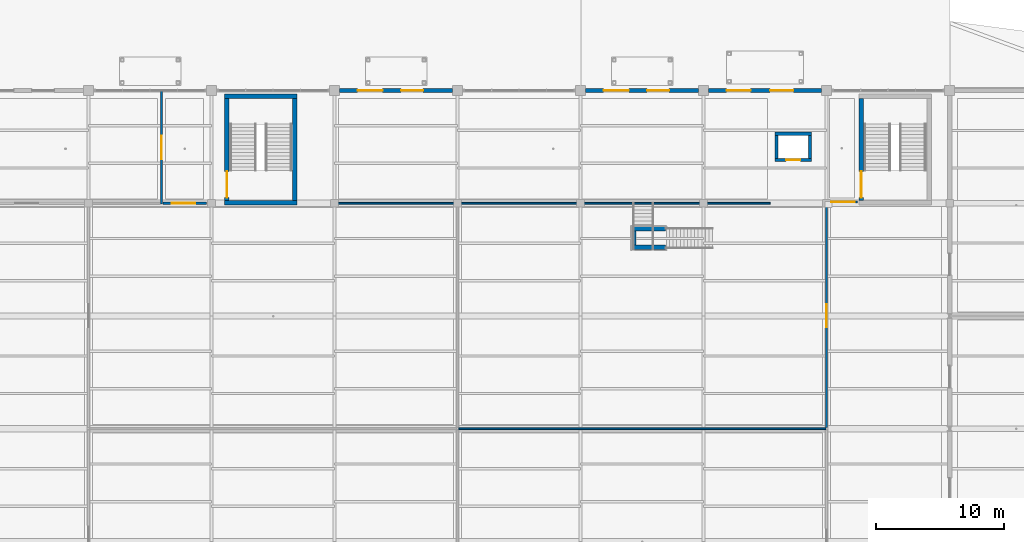
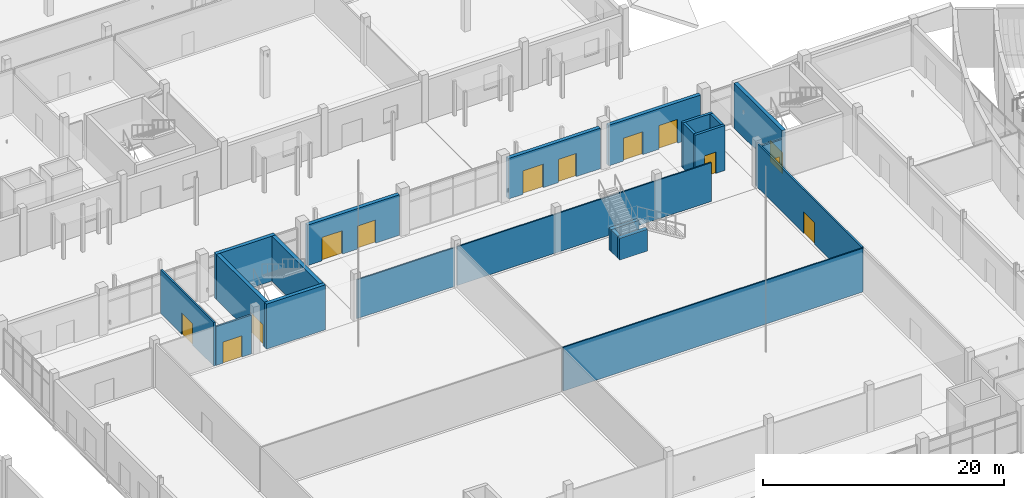
# One storey, part 80 of 116: 22 walls, 13 doors, 13 openings.
"""IFC4 building model written with IfcOpenShell, lengths in metres."""

from ifc_helpers import new_model, si_unit, direction, frame, frame_2d, origin, place, context, subcontext, project, spatial, rectangle, extrude, material, layer, layer_set, type_object, element, fill, save


model = new_model("IFC4")

# Units and contexts
model_context = context("Model", 3, precision=1e-05, world=origin(), true_north=direction((0.0, 1.0)))
body_context = subcontext(model_context, "Body", "Model", "MODEL_VIEW")
ifc_project = project(units=[si_unit("LENGTHUNIT", "METRE"), si_unit("AREAUNIT", "SQUARE_METRE"), si_unit("VOLUMEUNIT", "CUBIC_METRE"), si_unit("PLANEANGLEUNIT", "RADIAN"), si_unit("MASSUNIT", "GRAM", prefix="KILO")], contexts=[model_context])

# Site, building, storey
site_placement = place(None, origin())
site = spatial("IfcSite", under=ifc_project, at=site_placement, CompositionType="ELEMENT")
building_placement = place(site_placement, origin())
building = spatial("IfcBuilding", under=site, at=building_placement, Name="Chalmorin Arch Market", CompositionType="ELEMENT")
storey_placement = place(building_placement, origin())
storey = spatial("IfcBuildingStorey", under=building, at=storey_placement, Name="L00", CompositionType="ELEMENT", Elevation=0.0)

# Wall, opening, door
ifc_material_1 = material(Name="Concrete C40/50", Category="concrete")
ifc_layer_1 = layer(ifc_material_1, 0.35009765625)
ifc_layer_set_1 = layer_set([ifc_layer_1], Name="Concrete C40/50")
wall_type_1 = type_object("IfcWallType", Name="CoreShearWall-350", PredefinedType="SHEAR", material=ifc_layer_set_1)
wall_1_placement = place(storey_placement, frame((117.89990234375, 50.22509765625, 0.0), z_axis=(0.0, 0.0, 1.0), x_axis=(0.0, 1.0, 0.0)))
wall_1 = element("IfcWall", 1, at=wall_1_placement, inside=storey, type_object=wall_type_1, Name="CSW-350-055", PredefinedType="SHEAR", context=body_context, shape_type="SweptSolid", body=[
    extrude(rectangle(XDim=7.949951171875, YDim=0.35009765625, at=frame_2d((3.97509765625, 0.0))), origin(), (0.0, 0.0, 1.0), 4.550048828125),
])
opening_1_placement = place(wall_1_placement, frame((0.219970703125, 0.0, 0.0)))
opening_1 = element("IfcOpeningElement", 2, at=opening_1_placement, cuts=wall_1, Name="Opening FD-SC4-L00", PredefinedType="OPENING", context=body_context, shape_type="SweptSolid", body=[
    extrude(rectangle(XDim=2.050048828125, YDim=2.14990234375, at=frame_2d((1.02490234375, 1.074951171875))), frame((0.0, 0.18505859375, 0.0), z_axis=(0.0, -1.0, 0.0), x_axis=(1.0, 0.0, 0.0)), (0.0, 0.0, 1.0), 0.3701171875),
])
ifc_material_2 = material(Name="Galvanised Steel", Category="steel")
door_type_1 = type_object("IfcDoorType", Name="DoubleFireExitDoor-2050x2150", OperationType="DOUBLE_DOOR_SINGLE_SWING", PredefinedType="DOOR", material=ifc_material_2)
door_1_placement = place(opening_1_placement, origin())
door_1 = element("IfcDoor", 3, at=door_1_placement, inside=storey, type_object=door_type_1, Name="FD-SC4-L00", OperationType="DOUBLE_DOOR_SINGLE_SWING", OverallHeight=2.14990234375, OverallWidth=2.050048828125, PredefinedType="DOOR", context=body_context, shape_type="SweptSolid", body=[
    extrude(rectangle(XDim=2.050048828125, YDim=2.14990234375, at=frame_2d((1.02490234375, 1.074951171875))), frame((0.0, 0.02490234375, 0.0), z_axis=(0.0, -1.0, 0.0), x_axis=(1.0, 0.0, 0.0)), (0.0, 0.0, 1.0), 0.050048828125),
])
fill(opening_1, door_1)

# Walls
for number, where, z_axis, x_axis, name in (
    (4, (73.875, 50.050048828125, 0.0), (0.0, 0.0, 1.0), (-1.0, 0.0, 0.0), "CSW-350-129"),
    (5, (68.22509765625, 58.35009765625, 0.0), (0.0, 0.0, 1.0), (1.0, 0.0, 0.0), "CSW-350-130"),
):
    element("IfcWall", number, at=place(storey_placement, frame(where, z_axis=z_axis, x_axis=x_axis)), inside=storey, type_object=wall_type_1, Name=name, PredefinedType="SHEAR", context=body_context, shape_type="SweptSolid", body=[
        extrude(rectangle(XDim=5.64990234375, YDim=0.35009765625, at=frame_2d((2.824951171875, 0.0))), origin(), (0.0, 0.0, 1.0), 4.550048828125),
    ])

# Wall, opening, door
wall_2_placement = place(storey_placement, frame((68.39990234375, 50.22509765625, 0.0), z_axis=(0.0, 0.0, 1.0), x_axis=(0.0, 1.0, 0.0)))
wall_2 = element("IfcWall", 6, at=wall_2_placement, inside=storey, type_object=wall_type_1, Name="CSW-350-131", PredefinedType="SHEAR", context=body_context, shape_type="SweptSolid", body=[
    extrude(rectangle(XDim=7.949951171875, YDim=0.35009765625, at=frame_2d((3.97509765625, 0.0))), origin(), (0.0, 0.0, 1.0), 4.550048828125),
])
opening_2_placement = place(wall_2_placement, frame((0.219970703125, 0.0, 0.0)))
opening_2 = element("IfcOpeningElement", 7, at=opening_2_placement, cuts=wall_2, Name="Opening FD-SC8-L00", PredefinedType="OPENING", context=body_context, shape_type="SweptSolid", body=[
    extrude(rectangle(XDim=2.050048828125, YDim=2.14990234375, at=frame_2d((1.02490234375, 1.074951171875))), frame((0.0, 0.18505859375, 0.0), z_axis=(0.0, -1.0, 0.0), x_axis=(1.0, 0.0, 0.0)), (0.0, 0.0, 1.0), 0.3701171875),
])
door_2_placement = place(opening_2_placement, origin())
door_2 = element("IfcDoor", 8, at=door_2_placement, inside=storey, type_object=door_type_1, Name="FD-SC8-L00", OperationType="DOUBLE_DOOR_SINGLE_SWING", OverallHeight=2.14990234375, OverallWidth=2.050048828125, PredefinedType="DOOR", context=body_context, shape_type="SweptSolid", body=[
    extrude(rectangle(XDim=2.050048828125, YDim=2.14990234375, at=frame_2d((1.02490234375, 1.074951171875))), frame((0.0, 0.02490234375, 0.0), z_axis=(0.0, -1.0, 0.0), x_axis=(1.0, 0.0, 0.0)), (0.0, 0.0, 1.0), 0.050048828125),
])
fill(opening_2, door_2)

# Walls
wall_3_placement = place(storey_placement, frame((73.699951171875, 58.175048828125, 0.0), z_axis=(0.0, 0.0, 1.0), x_axis=(0.0, -1.0, 0.0)))
element("IfcWall", 9, at=wall_3_placement, inside=storey, type_object=wall_type_1, Name="CSW-350-132", PredefinedType="SHEAR", context=body_context, shape_type="SweptSolid", body=[
    extrude(rectangle(XDim=7.949951171875, YDim=0.35009765625, at=frame_2d((3.97509765625, 0.0))), origin(), (0.0, 0.0, 1.0), 4.550048828125),
])
for number, where, z_axis, x_axis, name in (
    (10, (99.97509765625, 46.550048828125, 0.0), (0.0, 0.0, 1.0), (1.0, 0.0, 0.0), "CSW-350-150"),
    (11, (99.97509765625, 48.0, 0.0), (0.0, 0.0, 1.0), (1.0, 0.0, 0.0), "CSW-350-151"),
):
    element("IfcWall", number, at=place(storey_placement, frame(where, z_axis=z_axis, x_axis=x_axis)), inside=storey, type_object=wall_type_1, Name=name, PredefinedType="SHEAR", context=body_context, shape_type="SweptSolid", body=[
        extrude(rectangle(XDim=2.669921875, YDim=0.35009765625, at=frame_2d((1.3349609375, 0.0))), origin(), (0.0, 0.0, 1.0), 2.205078125),
    ])
wall_4_placement = place(storey_placement, frame((100.14990234375, 46.72509765625, 0.0), z_axis=(0.0, 0.0, 1.0), x_axis=(0.0, 1.0, 0.0)))
element("IfcWall", 12, at=wall_4_placement, inside=storey, type_object=wall_type_1, Name="CSW-350-152", PredefinedType="SHEAR", context=body_context, shape_type="SweptSolid", body=[
    extrude(rectangle(XDim=1.099853515625, YDim=0.35009765625, at=frame_2d((0.5498046875, 0.0))), origin(), (0.0, 0.0, 1.0), 2.205078125),
])

# Wall, opening, door
ifc_material_3 = material(Name="Gypsum Board Partition")
ifc_layer_2 = layer(ifc_material_3, 0.159912109375)
ifc_layer_set_2 = layer_set([ifc_layer_2], Name="Gypsum Board Partition")
wall_type_2 = type_object("IfcWallType", Name="CorridorRatedPartition-160", PredefinedType="PARTITIONING", material=ifc_layer_set_2)
wall_5_placement = place(storey_placement, frame((63.39990234375, 50.0, 0.0), z_axis=(0.0, 0.0, 1.0), x_axis=(1.0, 0.0, 0.0)))
wall_5 = element("IfcWall", 13, at=wall_5_placement, inside=storey, type_object=wall_type_2, Name="CRP-160-401", PredefinedType="PARTITIONING", context=body_context, shape_type="SweptSolid", body=[
    extrude(rectangle(XDim=3.400146484375, YDim=0.159912109375, at=frame_2d((1.7001953125, 0.0))), origin(), (0.0, 0.0, 1.0), 3.925048828125),
])
opening_3_placement = place(wall_5_placement, frame((0.7119140625, 0.0, 0.0)))
opening_3 = element("IfcOpeningElement", 14, at=opening_3_placement, cuts=wall_5, Name="Opening ID-105", PredefinedType="OPENING", context=body_context, shape_type="SweptSolid", body=[
    extrude(rectangle(XDim=1.800048828125, YDim=2.14990234375, at=frame_2d((0.89990234375, 1.074951171875))), frame((0.0, 0.08984375, 0.0), z_axis=(0.0, -1.0, 0.0), x_axis=(1.0, 0.0, 0.0)), (0.0, 0.0, 1.0), 0.179931640625),
])
door_type_2 = type_object("IfcDoorType", Name="CorridorFireDoubleDoor-1800x2150", OperationType="DOUBLE_DOOR_SINGLE_SWING", PredefinedType="DOOR", material=ifc_material_2)
door_3_placement = place(opening_3_placement, origin())
door_3 = element("IfcDoor", 15, at=door_3_placement, inside=storey, type_object=door_type_2, Name="ID-105", OperationType="DOUBLE_DOOR_SINGLE_SWING", OverallHeight=2.14990234375, OverallWidth=1.800048828125, PredefinedType="DOOR", context=body_context, shape_type="SweptSolid", body=[
    extrude(rectangle(XDim=1.800048828125, YDim=2.14990234375, at=frame_2d((0.89990234375, 1.074951171875))), frame((0.0, 0.02490234375, 0.0), z_axis=(0.0, -1.0, 0.0), x_axis=(1.0, 0.0, 0.0)), (0.0, 0.0, 1.0), 0.050048828125),
])
fill(opening_3, door_3)

wall_6_placement = place(storey_placement, frame((115.199951171875, 32.5, 0.0), z_axis=(0.0, 0.0, 1.0), x_axis=(0.0, 1.0, 0.0)))
wall_6 = element("IfcWall", 16, at=wall_6_placement, inside=storey, type_object=wall_type_2, Name="CRP-160-403", PredefinedType="PARTITIONING", context=body_context, shape_type="SweptSolid", body=[
    extrude(rectangle(XDim=17.449951171875, YDim=0.159912109375, at=frame_2d((8.72509765625, 0.0))), origin(), (0.0, 0.0, 1.0), 4.419921875),
])
opening_4_placement = place(wall_6_placement, frame((7.824951171875, 0.0, 0.0)))
opening_4 = element("IfcOpeningElement", 17, at=opening_4_placement, cuts=wall_6, Name="Opening ID-106", PredefinedType="OPENING", context=body_context, shape_type="SweptSolid", body=[
    extrude(rectangle(XDim=1.800048828125, YDim=2.14990234375, at=frame_2d((0.89990234375, 1.074951171875))), frame((0.0, 0.08984375, 0.0), z_axis=(0.0, -1.0, 0.0), x_axis=(1.0, 0.0, 0.0)), (0.0, 0.0, 1.0), 0.179931640625),
])
door_4_placement = place(opening_4_placement, origin())
door_4 = element("IfcDoor", 18, at=door_4_placement, inside=storey, type_object=door_type_2, Name="ID-106", OperationType="DOUBLE_DOOR_SINGLE_SWING", OverallHeight=2.14990234375, OverallWidth=1.800048828125, PredefinedType="DOOR", context=body_context, shape_type="SweptSolid", body=[
    extrude(rectangle(XDim=1.800048828125, YDim=2.14990234375, at=frame_2d((0.89990234375, 1.074951171875))), frame((0.0, 0.02490234375, 0.0), z_axis=(0.0, -1.0, 0.0), x_axis=(1.0, 0.0, 0.0)), (0.0, 0.0, 1.0), 0.050048828125),
])
fill(opening_4, door_4)

wall_7_placement = place(storey_placement, frame((63.300048828125, 49.949951171875, 0.0), z_axis=(0.0, 0.0, 1.0), x_axis=(0.0, 1.0, 0.0)))
wall_7 = element("IfcWall", 19, at=wall_7_placement, inside=storey, type_object=wall_type_2, Name="CRP-160-406", PredefinedType="PARTITIONING", context=body_context, shape_type="SweptSolid", body=[
    extrude(rectangle(XDim=8.800048828125, YDim=0.159912109375, at=frame_2d((4.39990234375, 0.0))), origin(), (0.0, 0.0, 1.0), 4.419921875),
])
opening_5_placement = place(wall_7_placement, frame((3.5, 0.0, 0.0)))
opening_5 = element("IfcOpeningElement", 20, at=opening_5_placement, cuts=wall_7, Name="Opening ID-109", PredefinedType="OPENING", context=body_context, shape_type="SweptSolid", body=[
    extrude(rectangle(XDim=1.800048828125, YDim=2.14990234375, at=frame_2d((0.89990234375, 1.074951171875))), frame((0.0, 0.08984375, 0.0), z_axis=(0.0, -1.0, 0.0), x_axis=(1.0, 0.0, 0.0)), (0.0, 0.0, 1.0), 0.179931640625),
])
door_5_placement = place(opening_5_placement, origin())
door_5 = element("IfcDoor", 21, at=door_5_placement, inside=storey, type_object=door_type_2, Name="ID-109", OperationType="DOUBLE_DOOR_SINGLE_SWING", OverallHeight=2.14990234375, OverallWidth=1.800048828125, PredefinedType="DOOR", context=body_context, shape_type="SweptSolid", body=[
    extrude(rectangle(XDim=1.800048828125, YDim=2.14990234375, at=frame_2d((0.89990234375, 1.074951171875))), frame((0.0, 0.02490234375, 0.0), z_axis=(0.0, -1.0, 0.0), x_axis=(1.0, 0.0, 0.0)), (0.0, 0.0, 1.0), 0.050048828125),
])
fill(opening_5, door_5)

wall_8_placement = place(storey_placement, frame((115.14990234375, 50.10009765625, 0.0), z_axis=(0.0, 0.0, 1.0), x_axis=(1.0, 0.0, 0.0)))
wall_8 = element("IfcWall", 22, at=wall_8_placement, inside=storey, type_object=wall_type_2, Name="CRP-160-407", PredefinedType="PARTITIONING", context=body_context, shape_type="SweptSolid", body=[
    extrude(rectangle(XDim=2.4501953125, YDim=0.159912109375, at=frame_2d((1.22509765625, 0.0))), origin(), (0.0, 0.0, 1.0), 3.8349609375),
])
opening_6_placement = place(wall_8_placement, frame((0.429931640625, 0.0, 0.0)))
opening_6 = element("IfcOpeningElement", 23, at=opening_6_placement, cuts=wall_8, Name="Opening ID-110", PredefinedType="OPENING", context=body_context, shape_type="SweptSolid", body=[
    extrude(rectangle(XDim=1.800048828125, YDim=2.14990234375, at=frame_2d((0.89990234375, 1.074951171875))), frame((0.0, 0.08984375, 0.0), z_axis=(0.0, -1.0, 0.0), x_axis=(1.0, 0.0, 0.0)), (0.0, 0.0, 1.0), 0.179931640625),
])
door_6_placement = place(opening_6_placement, origin())
door_6 = element("IfcDoor", 24, at=door_6_placement, inside=storey, type_object=door_type_2, Name="ID-110", OperationType="DOUBLE_DOOR_SINGLE_SWING", OverallHeight=2.14990234375, OverallWidth=1.800048828125, PredefinedType="DOOR", context=body_context, shape_type="SweptSolid", body=[
    extrude(rectangle(XDim=1.800048828125, YDim=2.14990234375, at=frame_2d((0.89990234375, 1.074951171875))), frame((0.0, 0.02490234375, 0.0), z_axis=(0.0, -1.0, 0.0), x_axis=(1.0, 0.0, 0.0)), (0.0, 0.0, 1.0), 0.050048828125),
])
fill(opening_6, door_6)

# Walls
ifc_material_4 = material(Name="Powder-coated Aluminium Panel", Category="aluminium")
ifc_layer_3 = layer(ifc_material_4, 0.125)
ifc_layer_set_3 = layer_set([ifc_layer_3], Name="Powder-coated Aluminium Panel")
wall_type_3 = type_object("IfcWallType", Name="DemountableStudStallPartition-125", PredefinedType="PARTITIONING", material=ifc_layer_set_3)
wall_9_placement = place(storey_placement, frame((86.5, 32.39990234375, 0.0), z_axis=(0.0, 0.0, 1.0), x_axis=(1.0, 0.0, 0.0)))
element("IfcWall", 25, at=wall_9_placement, inside=storey, type_object=wall_type_3, Name="DSP-125-394", PredefinedType="PARTITIONING", context=body_context, shape_type="SweptSolid", body=[
    extrude(rectangle(XDim=28.64990234375, YDim=0.125, at=frame_2d((14.324951171875, 0.0))), origin(), (0.0, 0.0, 1.0), 4.419921875),
])
wall_10_placement = place(storey_placement, frame((76.89990234375, 50.0, 0.0), z_axis=(0.0, 0.0, 1.0), x_axis=(1.0, 0.0, 0.0)))
element("IfcWall", 26, at=wall_10_placement, inside=storey, type_object=wall_type_3, Name="DSP-125-398", PredefinedType="PARTITIONING", context=body_context, shape_type="SweptSolid", body=[
    extrude(rectangle(XDim=9.400146484375, YDim=0.125, at=frame_2d((4.7001953125, 0.0))), origin(), (0.0, 0.0, 1.0), 3.925048828125),
])
wall_11_placement = place(storey_placement, frame((86.5, 50.0, 0.0), z_axis=(0.0, 0.0, 1.0), x_axis=(1.0, 0.0, 0.0)))
element("IfcWall", 27, at=wall_11_placement, inside=storey, type_object=wall_type_3, Name="DSP-125-402", PredefinedType="PARTITIONING", context=body_context, shape_type="SweptSolid", body=[
    extrude(rectangle(XDim=24.300048828125, YDim=0.125, at=frame_2d((12.14990234375, 0.0))), origin(), (0.0, 0.0, 1.0), 3.925048828125),
])

# Wall, openings, doors
ifc_material_5 = material(Name="Concrete C35/45", Category="concrete")
ifc_layer_4 = layer(ifc_material_5, 0.35009765625)
ifc_layer_set_4 = layer_set([ifc_layer_4], Name="Concrete C35/45")
wall_type_4 = type_object("IfcWallType", Name="PlinthPerimeterWall-350", PredefinedType="SOLIDWALL", material=ifc_layer_set_4)
wall_12_placement = place(storey_placement, frame((77.199951171875, 58.800048828125, 0.0), z_axis=(0.0, 0.0, 1.0), x_axis=(1.0, 0.0, 0.0)))
wall_12 = element("IfcWall", 28, at=wall_12_placement, inside=storey, type_object=wall_type_4, Name="PPW-350-090", PredefinedType="SOLIDWALL", context=body_context, shape_type="SweptSolid", body=[
    extrude(rectangle(XDim=8.800048828125, YDim=0.35009765625, at=frame_2d((4.39990234375, 0.0))), origin(), (0.0, 0.0, 1.0), 4.10009765625),
])
opening_7_placement = place(wall_12_placement, frame((1.39990234375, 0.0, 0.0)))
opening_7 = element("IfcOpeningElement", 29, at=opening_7_placement, cuts=wall_12, Name="Opening ED-005", PredefinedType="OPENING", context=body_context, shape_type="SweptSolid", body=[
    extrude(rectangle(XDim=1.9599609375, YDim=2.3701171875, at=frame_2d((0.97998046875, 1.18505859375))), frame((0.0, 0.18505859375, 0.0), z_axis=(0.0, -1.0, 0.0), x_axis=(1.0, 0.0, 0.0)), (0.0, 0.0, 1.0), 0.3701171875),
])
opening_8_placement = place(wall_12_placement, frame((4.800048828125, 0.0, 0.0)))
opening_8 = element("IfcOpeningElement", 30, at=opening_8_placement, cuts=wall_12, Name="Opening ED-006", PredefinedType="OPENING", context=body_context, shape_type="SweptSolid", body=[
    extrude(rectangle(XDim=1.719970703125, YDim=2.340087890625, at=frame_2d((0.85986328125, 1.169921875))), frame((0.0, 0.18505859375, 0.0), z_axis=(0.0, -1.0, 0.0), x_axis=(1.0, 0.0, 0.0)), (0.0, 0.0, 1.0), 0.3701171875),
])
ifc_material_6 = material(Name="Aluminium 6063-T6", Category="aluminium")
door_type_3 = type_object("IfcDoorType", Name="DoubleStorefrontDoor-1800x2400-1720x2340", OperationType="DOUBLE_DOOR_SINGLE_SWING", PredefinedType="DOOR", material=ifc_material_6)
door_7_placement = place(opening_8_placement, origin())
door_7 = element("IfcDoor", 31, at=door_7_placement, inside=storey, type_object=door_type_3, Name="ED-006", OperationType="DOUBLE_DOOR_SINGLE_SWING", OverallHeight=2.340087890625, OverallWidth=1.719970703125, PredefinedType="DOOR", context=body_context, shape_type="SweptSolid", body=[
    extrude(rectangle(XDim=1.719970703125, YDim=2.340087890625, at=frame_2d((0.85986328125, 1.169921875))), frame((0.0, 0.02490234375, 0.0), z_axis=(0.0, -1.0, 0.0), x_axis=(1.0, 0.0, 0.0)), (0.0, 0.0, 1.0), 0.050048828125),
])
fill(opening_8, door_7)
door_type_4 = type_object("IfcDoorType", Name="DoubleStorefrontDoor-2000x2400-1960x2370", OperationType="DOUBLE_DOOR_SINGLE_SWING", PredefinedType="DOOR", material=ifc_material_6)
door_8_placement = place(opening_7_placement, origin())
door_8 = element("IfcDoor", 32, at=door_8_placement, inside=storey, type_object=door_type_4, Name="ED-005", OperationType="DOUBLE_DOOR_SINGLE_SWING", OverallHeight=2.3701171875, OverallWidth=1.9599609375, PredefinedType="DOOR", context=body_context, shape_type="SweptSolid", body=[
    extrude(rectangle(XDim=1.9599609375, YDim=2.3701171875, at=frame_2d((0.97998046875, 1.18505859375))), frame((0.0, 0.02490234375, 0.0), z_axis=(0.0, -1.0, 0.0), x_axis=(1.0, 0.0, 0.0)), (0.0, 0.0, 1.0), 0.050048828125),
])
fill(opening_7, door_8)

wall_13_placement = place(storey_placement, frame((96.39990234375, 58.800048828125, 0.0), z_axis=(0.0, 0.0, 1.0), x_axis=(1.0, 0.0, 0.0)))
wall_13 = element("IfcWall", 33, at=wall_13_placement, inside=storey, type_object=wall_type_4, Name="PPW-350-100", PredefinedType="SOLIDWALL", context=body_context, shape_type="SweptSolid", body=[
    extrude(rectangle(XDim=8.800048828125, YDim=0.35009765625, at=frame_2d((4.39990234375, 0.0))), origin(), (0.0, 0.0, 1.0), 4.10009765625),
])
opening_9_placement = place(wall_13_placement, frame((1.39990234375, 0.0, 0.0)))
opening_9 = element("IfcOpeningElement", 34, at=opening_9_placement, cuts=wall_13, Name="Opening ED-009", PredefinedType="OPENING", context=body_context, shape_type="SweptSolid", body=[
    extrude(rectangle(XDim=1.9599609375, YDim=2.3701171875, at=frame_2d((0.97998046875, 1.18505859375))), frame((0.0, 0.18505859375, 0.0), z_axis=(0.0, -1.0, 0.0), x_axis=(1.0, 0.0, 0.0)), (0.0, 0.0, 1.0), 0.3701171875),
])
opening_10_placement = place(wall_13_placement, frame((4.800048828125, 0.0, 0.0)))
opening_10 = element("IfcOpeningElement", 35, at=opening_10_placement, cuts=wall_13, Name="Opening ED-010", PredefinedType="OPENING", context=body_context, shape_type="SweptSolid", body=[
    extrude(rectangle(XDim=1.719970703125, YDim=2.340087890625, at=frame_2d((0.85986328125, 1.169921875))), frame((0.0, 0.18505859375, 0.0), z_axis=(0.0, -1.0, 0.0), x_axis=(1.0, 0.0, 0.0)), (0.0, 0.0, 1.0), 0.3701171875),
])
door_9_placement = place(opening_10_placement, origin())
door_9 = element("IfcDoor", 36, at=door_9_placement, inside=storey, type_object=door_type_3, Name="ED-010", OperationType="DOUBLE_DOOR_SINGLE_SWING", OverallHeight=2.340087890625, OverallWidth=1.719970703125, PredefinedType="DOOR", context=body_context, shape_type="SweptSolid", body=[
    extrude(rectangle(XDim=1.719970703125, YDim=2.340087890625, at=frame_2d((0.85986328125, 1.169921875))), frame((0.0, 0.02490234375, 0.0), z_axis=(0.0, -1.0, 0.0), x_axis=(1.0, 0.0, 0.0)), (0.0, 0.0, 1.0), 0.050048828125),
])
fill(opening_10, door_9)
door_10_placement = place(opening_9_placement, origin())
door_10 = element("IfcDoor", 37, at=door_10_placement, inside=storey, type_object=door_type_4, Name="ED-009", OperationType="DOUBLE_DOOR_SINGLE_SWING", OverallHeight=2.3701171875, OverallWidth=1.9599609375, PredefinedType="DOOR", context=body_context, shape_type="SweptSolid", body=[
    extrude(rectangle(XDim=1.9599609375, YDim=2.3701171875, at=frame_2d((0.97998046875, 1.18505859375))), frame((0.0, 0.02490234375, 0.0), z_axis=(0.0, -1.0, 0.0), x_axis=(1.0, 0.0, 0.0)), (0.0, 0.0, 1.0), 0.050048828125),
])
fill(opening_9, door_10)

wall_14_placement = place(storey_placement, frame((106.0, 58.800048828125, 0.0), z_axis=(0.0, 0.0, 1.0), x_axis=(1.0, 0.0, 0.0)))
wall_14 = element("IfcWall", 38, at=wall_14_placement, inside=storey, type_object=wall_type_4, Name="PPW-350-105", PredefinedType="SOLIDWALL", context=body_context, shape_type="SweptSolid", body=[
    extrude(rectangle(XDim=8.800048828125, YDim=0.35009765625, at=frame_2d((4.39990234375, 0.0))), origin(), (0.0, 0.0, 1.0), 4.10009765625),
])
opening_11_placement = place(wall_14_placement, frame((1.39990234375, 0.0, 0.0)))
opening_11 = element("IfcOpeningElement", 39, at=opening_11_placement, cuts=wall_14, Name="Opening ED-011", PredefinedType="OPENING", context=body_context, shape_type="SweptSolid", body=[
    extrude(rectangle(XDim=1.8798828125, YDim=2.31005859375, at=frame_2d((0.93994140625, 1.155029296875))), frame((0.0, 0.18505859375, 0.0), z_axis=(0.0, -1.0, 0.0), x_axis=(1.0, 0.0, 0.0)), (0.0, 0.0, 1.0), 0.3701171875),
])
opening_12_placement = place(wall_14_placement, frame((4.800048828125, 0.0, 0.0)))
opening_12 = element("IfcOpeningElement", 40, at=opening_12_placement, cuts=wall_14, Name="Opening ED-012", PredefinedType="OPENING", context=body_context, shape_type="SweptSolid", body=[
    extrude(rectangle(XDim=1.800048828125, YDim=2.39990234375, at=frame_2d((0.89990234375, 1.199951171875))), frame((0.0, 0.18505859375, 0.0), z_axis=(0.0, -1.0, 0.0), x_axis=(1.0, 0.0, 0.0)), (0.0, 0.0, 1.0), 0.3701171875),
])
door_type_5 = type_object("IfcDoorType", Name="DoubleStorefrontDoor-1800x2400", OperationType="DOUBLE_DOOR_SINGLE_SWING", PredefinedType="DOOR", material=ifc_material_6)
door_11_placement = place(opening_12_placement, origin())
door_11 = element("IfcDoor", 41, at=door_11_placement, inside=storey, type_object=door_type_5, Name="ED-012", OperationType="DOUBLE_DOOR_SINGLE_SWING", OverallHeight=2.39990234375, OverallWidth=1.800048828125, PredefinedType="DOOR", context=body_context, shape_type="SweptSolid", body=[
    extrude(rectangle(XDim=1.800048828125, YDim=2.39990234375, at=frame_2d((0.89990234375, 1.199951171875))), frame((0.0, 0.02490234375, 0.0), z_axis=(0.0, -1.0, 0.0), x_axis=(1.0, 0.0, 0.0)), (0.0, 0.0, 1.0), 0.050048828125),
])
fill(opening_12, door_11)
door_type_6 = type_object("IfcDoorType", Name="DoubleStorefrontDoor-2000x2400-1880x2310", OperationType="DOUBLE_DOOR_SINGLE_SWING", PredefinedType="DOOR", material=ifc_material_6)
door_12_placement = place(opening_11_placement, origin())
door_12 = element("IfcDoor", 42, at=door_12_placement, inside=storey, type_object=door_type_6, Name="ED-011", OperationType="DOUBLE_DOOR_SINGLE_SWING", OverallHeight=2.31005859375, OverallWidth=1.8798828125, PredefinedType="DOOR", context=body_context, shape_type="SweptSolid", body=[
    extrude(rectangle(XDim=1.8798828125, YDim=2.31005859375, at=frame_2d((0.93994140625, 1.155029296875))), frame((0.0, 0.02490234375, 0.0), z_axis=(0.0, -1.0, 0.0), x_axis=(1.0, 0.0, 0.0)), (0.0, 0.0, 1.0), 0.050048828125),
])
fill(opening_11, door_12)

# Wall, opening, door
ifc_layer_5 = layer(ifc_material_5, 0.25)
ifc_layer_set_5 = layer_set([ifc_layer_5], Name="Concrete C35/45")
wall_type_5 = type_object("IfcWallType", Name="ShaftEnclosureWall-250", PredefinedType="SOLIDWALL", material=ifc_layer_set_5)
wall_15_placement = place(storey_placement, frame((114.02490234375, 53.375, 0.0), z_axis=(0.0, 0.0, 1.0), x_axis=(-1.0, 0.0, 0.0)))
wall_15 = element("IfcWall", 43, at=wall_15_placement, inside=storey, type_object=wall_type_5, Name="SEW-250-250", PredefinedType="SOLIDWALL", context=body_context, shape_type="SweptSolid", body=[
    extrude(rectangle(XDim=2.849853515625, YDim=0.25, at=frame_2d((1.4248046875, 0.0))), origin(), (0.0, 0.0, 1.0), 4.550048828125),
])
opening_13_placement = place(wall_15_placement, frame((0.875, 0.0, 0.0)))
opening_13 = element("IfcOpeningElement", 44, at=opening_13_placement, cuts=wall_15, Name="Opening LD-LF-P3-L00", PredefinedType="OPENING", context=body_context, shape_type="SweptSolid", body=[
    extrude(rectangle(XDim=1.10009765625, YDim=2.14990234375, at=frame_2d((0.550048828125, 1.074951171875))), frame((0.0, 0.135009765625, 0.0), z_axis=(0.0, -1.0, 0.0), x_axis=(1.0, 0.0, 0.0)), (0.0, 0.0, 1.0), 0.27001953125),
])
ifc_material_7 = material(Name="Stainless Steel 316", Category="steel")
door_type_7 = type_object("IfcDoorType", Name="LiftLandingSlidingDoor-1100x2150", OperationType="DOUBLE_DOOR_SLIDING", PredefinedType="DOOR", material=ifc_material_7)
door_13_placement = place(opening_13_placement, origin())
door_13 = element("IfcDoor", 45, at=door_13_placement, inside=storey, type_object=door_type_7, Name="LD-LF-P3-L00", OperationType="DOUBLE_DOOR_SLIDING", OverallHeight=2.14990234375, OverallWidth=1.10009765625, PredefinedType="DOOR", context=body_context, shape_type="SweptSolid", body=[
    extrude(rectangle(XDim=1.10009765625, YDim=2.14990234375, at=frame_2d((0.550048828125, 1.074951171875))), frame((0.0, 0.02490234375, 0.0), z_axis=(0.0, -1.0, 0.0), x_axis=(1.0, 0.0, 0.0)), (0.0, 0.0, 1.0), 0.050048828125),
])
fill(opening_13, door_13)

# Walls
wall_16_placement = place(storey_placement, frame((111.175048828125, 55.425048828125, 0.0), z_axis=(0.0, 0.0, 1.0), x_axis=(1.0, 0.0, 0.0)))
element("IfcWall", 46, at=wall_16_placement, inside=storey, type_object=wall_type_5, Name="SEW-250-251", PredefinedType="SOLIDWALL", context=body_context, shape_type="SweptSolid", body=[
    extrude(rectangle(XDim=2.849853515625, YDim=0.25, at=frame_2d((1.4248046875, 0.0))), origin(), (0.0, 0.0, 1.0), 4.550048828125),
])
for number, where, z_axis, x_axis, name in (
    (47, (111.300048828125, 53.5, 0.0), (0.0, 0.0, 1.0), (0.0, 1.0, 0.0), "SEW-250-252"),
    (48, (113.89990234375, 55.300048828125, 0.0), (0.0, 0.0, 1.0), (0.0, -1.0, 0.0), "SEW-250-253"),
):
    element("IfcWall", number, at=place(storey_placement, frame(where, z_axis=z_axis, x_axis=x_axis)), inside=storey, type_object=wall_type_5, Name=name, PredefinedType="SOLIDWALL", context=body_context, shape_type="SweptSolid", body=[
        extrude(rectangle(XDim=1.800048828125, YDim=0.25, at=frame_2d((0.89990234375, 0.0))), origin(), (0.0, 0.0, 1.0), 4.550048828125),
    ])

save(model, "model.ifc")
